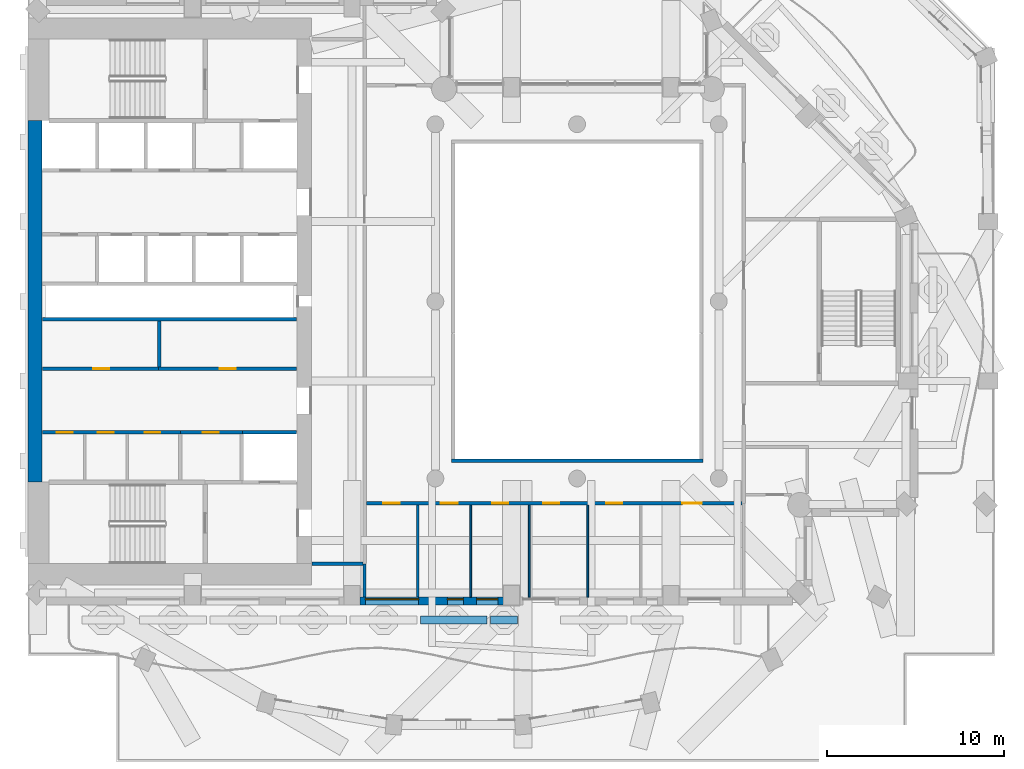
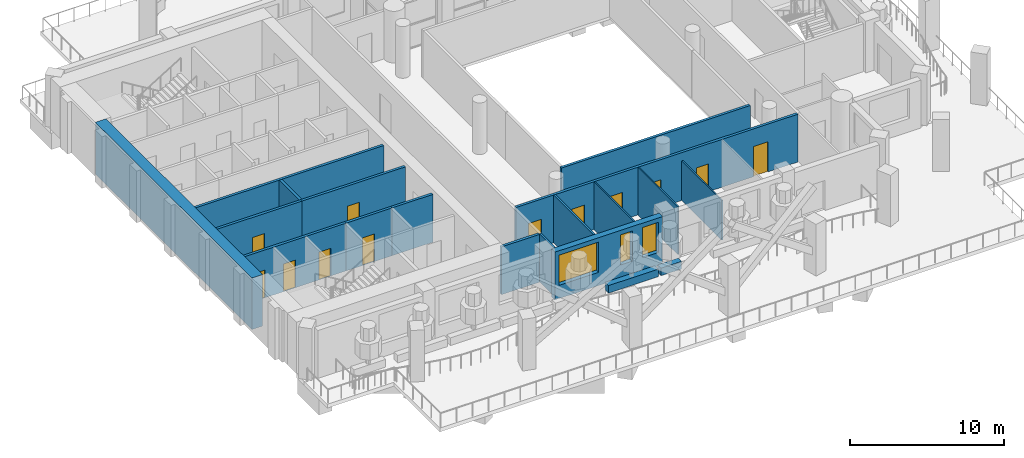
# One storey, part 5 of 18: 19 walls, 12 doors, 3 windows, 15 openings.
"""IFC4 building model written with IfcOpenShell, lengths in metres."""

from ifc_helpers import new_model, si_unit, direction, frame, frame_2d, origin, place, context, subcontext, project, spatial, rectangle, extrude, material, layer, layer_set, type_object, element, fill, save


model = new_model("IFC4")

# Units and contexts
model_context = context("Model", 3, precision=1e-05, world=origin(), true_north=direction((0.0, 1.0)))
body_context = subcontext(model_context, "Body", "Model", "MODEL_VIEW")
ifc_project = project(units=[si_unit("LENGTHUNIT", "METRE"), si_unit("AREAUNIT", "SQUARE_METRE"), si_unit("VOLUMEUNIT", "CUBIC_METRE"), si_unit("PLANEANGLEUNIT", "RADIAN"), si_unit("MASSUNIT", "GRAM", prefix="KILO")], contexts=[model_context])

# Site, building, storey
site_placement = place(None, origin())
site = spatial("IfcSite", under=ifc_project, at=site_placement, CompositionType="ELEMENT")
building_placement = place(site_placement, origin())
building = spatial("IfcBuilding", under=site, at=building_placement, Name="Cypress Arch Tower", CompositionType="ELEMENT")
storey_placement = place(building_placement, frame((0.0, 0.0, 160.5)))
storey = spatial("IfcBuildingStorey", under=building, at=storey_placement, Name="L34", CompositionType="ELEMENT", Elevation=160.5)

# Walls
ifc_material_1 = material(Name="Concrete C40/50, waterproofed", Category="concrete")
ifc_layer_1 = layer(ifc_material_1, 0.449951171875)
ifc_layer_set_1 = layer_set([ifc_layer_1], Name="Balcony planter wall PW450")
wall_type_1 = type_object("IfcWallType", Name="Balcony planter wall PW450", PredefinedType="SOLIDWALL", material=ifc_layer_set_1)
wall_1_placement = place(storey_placement, frame((-7.85009765625, -18.0, 0.0), z_axis=(0.0, 0.0, 1.0), x_axis=(1.0, 0.0, 0.0)))
element("IfcWall", 1, at=wall_1_placement, inside=storey, type_object=wall_type_1, Name="Balcony planter wall L34-B01.6", PredefinedType="SOLIDWALL", context=body_context, shape_type="SweptSolid", body=[
    extrude(rectangle(XDim=3.760009765625, YDim=0.449951171875, at=frame_2d((1.8798828125, 0.0))), origin(), (0.0, 0.0, 1.0), 0.60009765625),
])
wall_2_placement = place(storey_placement, frame((-3.889892578125, -18.0, 0.0), z_axis=(0.0, 0.0, 1.0), x_axis=(1.0, 0.0, 0.0)))
element("IfcWall", 2, at=wall_2_placement, inside=storey, type_object=wall_type_1, Name="Balcony planter wall L34-B01.7", PredefinedType="SOLIDWALL", context=body_context, shape_type="SweptSolid", body=[
    extrude(rectangle(XDim=1.539794921875, YDim=0.449951171875, at=frame_2d((0.77001953125, 0.0))), origin(), (0.0, 0.0, 1.0), 0.60009765625),
])

# Wall, openings, windows
ifc_material_2 = material(Name="Brick (red buff blend)", Category="masonry")
ifc_layer_2 = layer(ifc_material_2, 0.449951171875)
ifc_layer_set_2 = layer_set([ifc_layer_2], Name="Brick pier and spandrel wall BW450")
wall_type_2 = type_object("IfcWallType", Name="Brick pier and spandrel wall BW450", PredefinedType="SOLIDWALL", material=ifc_layer_set_2)
wall_3_placement = place(storey_placement, frame((-11.25, -16.925048828125, 0.0), z_axis=(0.0, 0.0, 1.0), x_axis=(1.0, 0.0, 0.0)))
wall_3 = element("IfcWall", 3, at=wall_3_placement, inside=storey, type_object=wall_type_2, Name="Brick wall L34 B01.2", PredefinedType="SOLIDWALL", context=body_context, shape_type="SweptSolid", body=[
    extrude(rectangle(XDim=8.10009765625, YDim=0.449951171875, at=frame_2d((4.050048828125, 0.0))), origin(), (0.0, 0.0, 1.0), 3.800048828125),
])
opening_1_placement = place(wall_3_placement, frame((0.300048828125, 0.0, 1.050048828125)))
opening_1 = element("IfcOpeningElement", 4, at=opening_1_placement, cuts=wall_3, Name="Opening W300OD", PredefinedType="OPENING", context=body_context, shape_type="SweptSolid", body=[
    extrude(rectangle(XDim=3.0, YDim=2.39990234375, at=frame_2d((1.5, 1.199951171875))), frame((0.0, 0.23486328125, 0.0), z_axis=(0.0, -1.0, 0.0), x_axis=(1.0, 0.0, 0.0)), (0.0, 0.0, 1.0), 0.469970703125),
])
opening_2_placement = place(wall_3_placement, frame((4.925048828125, 0.0, 1.050048828125)))
opening_2 = element("IfcOpeningElement", 5, at=opening_2_placement, cuts=wall_3, Name="Opening W090OD", PredefinedType="OPENING", context=body_context, shape_type="SweptSolid", body=[
    extrude(rectangle(XDim=0.89990234375, YDim=2.39990234375, at=frame_2d((0.449951171875, 1.199951171875))), frame((0.0, 0.23486328125, 0.0), z_axis=(0.0, -1.0, 0.0), x_axis=(1.0, 0.0, 0.0)), (0.0, 0.0, 1.0), 0.469970703125),
])
opening_3_placement = place(wall_3_placement, frame((6.574951171875, 0.0, 1.050048828125)))
opening_3 = element("IfcOpeningElement", 6, at=opening_3_placement, cuts=wall_3, Name="Opening W120OD", PredefinedType="OPENING", context=body_context, shape_type="SweptSolid", body=[
    extrude(rectangle(XDim=1.199951171875, YDim=2.39990234375, at=frame_2d((0.60009765625, 1.199951171875))), frame((0.0, 0.23486328125, 0.0), z_axis=(0.0, -1.0, 0.0), x_axis=(1.0, 0.0, 0.0)), (0.0, 0.0, 1.0), 0.469970703125),
])
ifc_material_3 = material(Name="Anodised aluminium, bronze finish, laminated low-emissivity double glazing, large-missile impact rated", Category="aluminium")
window_type_1 = type_object("IfcWindowType", Name="Window Office 1200x2400 debris-rated", PartitioningType="SINGLE_PANEL", PredefinedType="WINDOW", material=ifc_material_3)
window_1_placement = place(opening_3_placement, origin())
window_1 = element("IfcWindow", 7, at=window_1_placement, inside=storey, type_object=window_type_1, Name="Window L34 B01.2.2b", OverallHeight=2.39990234375, OverallWidth=1.199951171875, PartitioningType="SINGLE_PANEL", PredefinedType="WINDOW", context=body_context, shape_type="SweptSolid", body=[
    extrude(rectangle(XDim=1.199951171875, YDim=2.39990234375, at=frame_2d((0.60009765625, 1.199951171875))), frame((0.0, 0.135009765625, 0.0), z_axis=(0.0, -1.0, 0.0), x_axis=(1.0, 0.0, 0.0)), (0.0, 0.0, 1.0), 0.06005859375),
])
fill(opening_3, window_1)
ifc_material_4 = material(Name="Anodised aluminium, bronze finish, laminated low-emissivity double glazing, large-missile impact rated", Category="aluminium")
window_type_2 = type_object("IfcWindowType", Name="Window Office 3000x2400 debris-rated", PartitioningType="SINGLE_PANEL", PredefinedType="WINDOW", material=ifc_material_4)
window_2_placement = place(opening_1_placement, origin())
window_2 = element("IfcWindow", 8, at=window_2_placement, inside=storey, type_object=window_type_2, Name="Window L34 B01.2.1", OverallHeight=2.39990234375, OverallWidth=3.0, PartitioningType="SINGLE_PANEL", PredefinedType="WINDOW", context=body_context, shape_type="SweptSolid", body=[
    extrude(rectangle(XDim=3.0, YDim=2.39990234375, at=frame_2d((1.5, 1.199951171875))), frame((0.0, 0.135009765625, 0.0), z_axis=(0.0, -1.0, 0.0), x_axis=(1.0, 0.0, 0.0)), (0.0, 0.0, 1.0), 0.06005859375),
])
fill(opening_1, window_2)
ifc_material_5 = material(Name="Anodised aluminium, bronze finish, laminated low-emissivity double glazing, large-missile impact rated", Category="aluminium")
window_type_3 = type_object("IfcWindowType", Name="Window Office 900x2400 debris-rated", PartitioningType="SINGLE_PANEL", PredefinedType="WINDOW", material=ifc_material_5)
window_3_placement = place(opening_2_placement, origin())
window_3 = element("IfcWindow", 9, at=window_3_placement, inside=storey, type_object=window_type_3, Name="Window L34 B01.2.2", OverallHeight=2.39990234375, OverallWidth=0.89990234375, PartitioningType="SINGLE_PANEL", PredefinedType="WINDOW", context=body_context, shape_type="SweptSolid", body=[
    extrude(rectangle(XDim=0.89990234375, YDim=2.39990234375, at=frame_2d((0.449951171875, 1.199951171875))), frame((0.0, 0.135009765625, 0.0), z_axis=(0.0, -1.0, 0.0), x_axis=(1.0, 0.0, 0.0)), (0.0, 0.0, 1.0), 0.06005859375),
])
fill(opening_2, window_3)

# Wall
ifc_material_6 = material(Name="Concrete C70/85", Category="concrete")
ifc_layer_3 = layer(ifc_material_6, 0.800048828125)
ifc_layer_set_3 = layer_set([ifc_layer_3], Name="Core wall CW800 C70/85")
wall_type_3 = type_object("IfcWallType", Name="Core wall CW800 C70/85", PredefinedType="SHEAR", material=ifc_layer_set_3)
wall_4_placement = place(storey_placement, frame((-29.60009765625, -10.199951171875, 0.0), z_axis=(0.0, 0.0, 1.0), x_axis=(0.0, 1.0, 0.0)))
element("IfcWall", 10, at=wall_4_placement, inside=storey, type_object=wall_type_3, Name="Core wall", PredefinedType="SHEAR", context=body_context, shape_type="SweptSolid", body=[
    extrude(rectangle(XDim=20.39990234375, YDim=0.800048828125, at=frame_2d((10.199951171875, 0.0))), origin(), (0.0, 0.0, 1.0), 4.10009765625),
])

# Wall, openings, doors
ifc_material_7 = material(Name="Concrete blockwork, plastered, rated", Category="masonry")
ifc_layer_4 = layer(ifc_material_7, 0.199951171875)
ifc_layer_set_4 = layer_set([ifc_layer_4], Name="Corridor wall FW200")
wall_type_4 = type_object("IfcWallType", Name="Corridor wall FW200", PredefinedType="PARTITIONING", material=ifc_layer_set_4)
wall_5_placement = place(storey_placement, frame((-29.169921875, -7.39990234375, 0.0), z_axis=(0.0, 0.0, 1.0), x_axis=(1.0, 0.0, 0.0)))
wall_5 = element("IfcWall", 11, at=wall_5_placement, inside=storey, type_object=wall_type_4, Name="Corridor wall", PredefinedType="PARTITIONING", context=body_context, shape_type="SweptSolid", body=[
    extrude(rectangle(XDim=7.7900390625, YDim=0.199951171875, at=frame_2d((3.89501953125, 0.0))), origin(), (0.0, 0.0, 1.0), 3.800048828125),
])
opening_4_placement = place(wall_5_placement, frame((0.800048828125, 0.0, 0.0)))
opening_4 = element("IfcOpeningElement", 12, at=opening_4_placement, cuts=wall_5, Name="Opening D05", PredefinedType="OPENING", context=body_context, shape_type="SweptSolid", body=[
    extrude(rectangle(XDim=0.89990234375, YDim=2.199951171875, at=frame_2d((0.449951171875, 1.10009765625))), frame((0.0, 0.10986328125, 0.0), z_axis=(0.0, -1.0, 0.0), x_axis=(1.0, 0.0, 0.0)), (0.0, 0.0, 1.0), 0.219970703125),
])
opening_5_placement = place(wall_5_placement, frame((3.10009765625, 0.0, 0.0)))
opening_5 = element("IfcOpeningElement", 13, at=opening_5_placement, cuts=wall_5, Name="Opening D05", PredefinedType="OPENING", context=body_context, shape_type="SweptSolid", body=[
    extrude(rectangle(XDim=0.89990234375, YDim=2.199951171875, at=frame_2d((0.449951171875, 1.10009765625))), frame((0.0, 0.10986328125, 0.0), z_axis=(0.0, -1.0, 0.0), x_axis=(1.0, 0.0, 0.0)), (0.0, 0.0, 1.0), 0.219970703125),
])
opening_6_placement = place(wall_5_placement, frame((5.75, 0.0, 0.0)))
opening_6 = element("IfcOpeningElement", 14, at=opening_6_placement, cuts=wall_5, Name="Opening D05", PredefinedType="OPENING", context=body_context, shape_type="SweptSolid", body=[
    extrude(rectangle(XDim=0.89990234375, YDim=2.199951171875, at=frame_2d((0.449951171875, 1.10009765625))), frame((0.0, 0.10986328125, 0.0), z_axis=(0.0, -1.0, 0.0), x_axis=(1.0, 0.0, 0.0)), (0.0, 0.0, 1.0), 0.219970703125),
])
ifc_material_8 = material(Name="Timber flush door", Category="wood")
door_type_1 = type_object("IfcDoorType", Name="Service door D05 900x2200", OperationType="SINGLE_SWING_LEFT", PredefinedType="DOOR", material=ifc_material_8)
door_1_placement = place(opening_4_placement, origin())
door_1 = element("IfcDoor", 15, at=door_1_placement, inside=storey, type_object=door_type_1, Name="Service door", OperationType="SINGLE_SWING_LEFT", OverallHeight=2.199951171875, OverallWidth=0.89990234375, PredefinedType="DOOR", context=body_context, shape_type="SweptSolid", body=[
    extrude(rectangle(XDim=0.89990234375, YDim=2.199951171875, at=frame_2d((0.449951171875, 1.10009765625))), frame((0.0, 0.02490234375, 0.0), z_axis=(0.0, -1.0, 0.0), x_axis=(1.0, 0.0, 0.0)), (0.0, 0.0, 1.0), 0.050048828125),
])
fill(opening_4, door_1)
door_2_placement = place(opening_5_placement, origin())
door_2 = element("IfcDoor", 16, at=door_2_placement, inside=storey, type_object=door_type_1, Name="Service door", OperationType="SINGLE_SWING_RIGHT", OverallHeight=2.199951171875, OverallWidth=0.89990234375, PredefinedType="DOOR", context=body_context, shape_type="SweptSolid", body=[
    extrude(rectangle(XDim=0.89990234375, YDim=2.199951171875, at=frame_2d((0.449951171875, 1.10009765625))), frame((0.0, 0.02490234375, 0.0), z_axis=(0.0, -1.0, 0.0), x_axis=(1.0, 0.0, 0.0)), (0.0, 0.0, 1.0), 0.050048828125),
])
fill(opening_5, door_2)
door_3_placement = place(opening_6_placement, origin())
door_3 = element("IfcDoor", 17, at=door_3_placement, inside=storey, type_object=door_type_1, Name="Service door", OperationType="SINGLE_SWING_RIGHT", OverallHeight=2.199951171875, OverallWidth=0.89990234375, PredefinedType="DOOR", context=body_context, shape_type="SweptSolid", body=[
    extrude(rectangle(XDim=0.89990234375, YDim=2.199951171875, at=frame_2d((0.449951171875, 1.10009765625))), frame((0.0, 0.02490234375, 0.0), z_axis=(0.0, -1.0, 0.0), x_axis=(1.0, 0.0, 0.0)), (0.0, 0.0, 1.0), 0.050048828125),
])
fill(opening_6, door_3)

# Wall, opening, door
wall_6_placement = place(storey_placement, frame((-22.6201171875, -3.800048828125, 0.0), z_axis=(0.0, 0.0, 1.0), x_axis=(1.0, 0.0, 0.0)))
wall_6 = element("IfcWall", 18, at=wall_6_placement, inside=storey, type_object=wall_type_4, Name="Corridor wall", PredefinedType="PARTITIONING", context=body_context, shape_type="SweptSolid", body=[
    extrude(rectangle(XDim=7.7900390625, YDim=0.199951171875, at=frame_2d((3.89501953125, 0.0))), origin(), (0.0, 0.0, 1.0), 3.800048828125),
])
opening_7_placement = place(wall_6_placement, frame((3.449951171875, 0.0, 0.0)))
opening_7 = element("IfcOpeningElement", 19, at=opening_7_placement, cuts=wall_6, Name="Opening D05", PredefinedType="OPENING", context=body_context, shape_type="SweptSolid", body=[
    extrude(rectangle(XDim=0.89990234375, YDim=2.199951171875, at=frame_2d((0.449951171875, 1.10009765625))), frame((0.0, 0.10986328125, 0.0), z_axis=(0.0, -1.0, 0.0), x_axis=(1.0, 0.0, 0.0)), (0.0, 0.0, 1.0), 0.219970703125),
])
door_4_placement = place(opening_7_placement, origin())
door_4 = element("IfcDoor", 20, at=door_4_placement, inside=storey, type_object=door_type_1, Name="Service door", OperationType="SINGLE_SWING_RIGHT", OverallHeight=2.199951171875, OverallWidth=0.89990234375, PredefinedType="DOOR", context=body_context, shape_type="SweptSolid", body=[
    extrude(rectangle(XDim=0.89990234375, YDim=2.199951171875, at=frame_2d((0.449951171875, 1.10009765625))), frame((0.0, 0.02490234375, 0.0), z_axis=(0.0, -1.0, 0.0), x_axis=(1.0, 0.0, 0.0)), (0.0, 0.0, 1.0), 0.050048828125),
])
fill(opening_7, door_4)

# Wall
wall_7_placement = place(storey_placement, frame((-13.969970703125, -14.800048828125, 0.0), z_axis=(0.0, 0.0, 1.0), x_axis=(1.0, 0.0, 0.0)))
element("IfcWall", 21, at=wall_7_placement, inside=storey, type_object=wall_type_4, Name="Corridor wall", PredefinedType="PARTITIONING", context=body_context, shape_type="SweptSolid", body=[
    extrude(rectangle(XDim=2.869873046875, YDim=0.199951171875, at=frame_2d((1.43505859375, 0.0))), origin(), (0.0, 0.0, 1.0), 3.800048828125),
])

# Wall, openings, doors
wall_8_placement = place(storey_placement, frame((-10.89990234375, -11.39990234375, 0.0), z_axis=(0.0, 0.0, 1.0), x_axis=(1.0, 0.0, 0.0)))
wall_8 = element("IfcWall", 22, at=wall_8_placement, inside=storey, type_object=wall_type_4, Name="Corridor wall", PredefinedType="PARTITIONING", context=body_context, shape_type="SweptSolid", body=[
    extrude(rectangle(XDim=21.199951171875, YDim=0.199951171875, at=frame_2d((10.60009765625, 0.0))), origin(), (0.0, 0.0, 1.0), 3.800048828125),
])
opening_8_placement = place(wall_8_placement, frame((0.949951171875, 0.0, 0.0)))
opening_8 = element("IfcOpeningElement", 23, at=opening_8_placement, cuts=wall_8, Name="Opening D02", PredefinedType="OPENING", context=body_context, shape_type="SweptSolid", body=[
    extrude(rectangle(XDim=0.949951171875, YDim=2.199951171875, at=frame_2d((0.47509765625, 1.10009765625))), frame((0.0, 0.10986328125, 0.0), z_axis=(0.0, -1.0, 0.0), x_axis=(1.0, 0.0, 0.0)), (0.0, 0.0, 1.0), 0.219970703125),
])
opening_9_placement = place(wall_8_placement, frame((4.199951171875, 0.0, 0.0)))
opening_9 = element("IfcOpeningElement", 24, at=opening_9_placement, cuts=wall_8, Name="Opening D02", PredefinedType="OPENING", context=body_context, shape_type="SweptSolid", body=[
    extrude(rectangle(XDim=0.949951171875, YDim=2.199951171875, at=frame_2d((0.47509765625, 1.10009765625))), frame((0.0, 0.10986328125, 0.0), z_axis=(0.0, -1.0, 0.0), x_axis=(1.0, 0.0, 0.0)), (0.0, 0.0, 1.0), 0.219970703125),
])
opening_10_placement = place(wall_8_placement, frame((7.10009765625, 0.0, 0.0)))
opening_10 = element("IfcOpeningElement", 25, at=opening_10_placement, cuts=wall_8, Name="Opening D03", PredefinedType="OPENING", context=body_context, shape_type="SweptSolid", body=[
    extrude(rectangle(XDim=0.89990234375, YDim=2.199951171875, at=frame_2d((0.449951171875, 1.10009765625))), frame((0.0, 0.10986328125, 0.0), z_axis=(0.0, -1.0, 0.0), x_axis=(1.0, 0.0, 0.0)), (0.0, 0.0, 1.0), 0.219970703125),
])
opening_11_placement = place(wall_8_placement, frame((10.0, 0.0, 0.0)))
opening_11 = element("IfcOpeningElement", 26, at=opening_11_placement, cuts=wall_8, Name="Opening D03", PredefinedType="OPENING", context=body_context, shape_type="SweptSolid", body=[
    extrude(rectangle(XDim=0.89990234375, YDim=2.199951171875, at=frame_2d((0.449951171875, 1.10009765625))), frame((0.0, 0.10986328125, 0.0), z_axis=(0.0, -1.0, 0.0), x_axis=(1.0, 0.0, 0.0)), (0.0, 0.0, 1.0), 0.219970703125),
])
opening_12_placement = place(wall_8_placement, frame((13.550048828125, 0.0, 0.0)))
opening_12 = element("IfcOpeningElement", 27, at=opening_12_placement, cuts=wall_8, Name="Opening D03", PredefinedType="OPENING", context=body_context, shape_type="SweptSolid", body=[
    extrude(rectangle(XDim=0.89990234375, YDim=2.199951171875, at=frame_2d((0.449951171875, 1.10009765625))), frame((0.0, 0.10986328125, 0.0), z_axis=(0.0, -1.0, 0.0), x_axis=(1.0, 0.0, 0.0)), (0.0, 0.0, 1.0), 0.219970703125),
])
opening_13_placement = place(wall_8_placement, frame((17.85009765625, 0.0, 0.0)))
opening_13 = element("IfcOpeningElement", 28, at=opening_13_placement, cuts=wall_8, Name="Opening D01", PredefinedType="OPENING", context=body_context, shape_type="SweptSolid", body=[
    extrude(rectangle(XDim=1.10009765625, YDim=2.39990234375, at=frame_2d((0.550048828125, 1.199951171875))), frame((0.0, 0.10986328125, 0.0), z_axis=(0.0, -1.0, 0.0), x_axis=(1.0, 0.0, 0.0)), (0.0, 0.0, 1.0), 0.219970703125),
])
ifc_material_9 = material(Name="Timber flush door, moisture resistant", Category="wood")
door_type_2 = type_object("IfcDoorType", Name="Bathroom door D03 900x2200", OperationType="SINGLE_SWING_LEFT", PredefinedType="DOOR", material=ifc_material_9)
door_5_placement = place(opening_10_placement, origin())
door_5 = element("IfcDoor", 29, at=door_5_placement, inside=storey, type_object=door_type_2, Name="Bathroom door", OperationType="SINGLE_SWING_RIGHT", OverallHeight=2.199951171875, OverallWidth=0.89990234375, PredefinedType="DOOR", context=body_context, shape_type="SweptSolid", body=[
    extrude(rectangle(XDim=0.89990234375, YDim=2.199951171875, at=frame_2d((0.449951171875, 1.10009765625))), frame((0.0, 0.02490234375, 0.0), z_axis=(0.0, -1.0, 0.0), x_axis=(1.0, 0.0, 0.0)), (0.0, 0.0, 1.0), 0.050048828125),
])
fill(opening_10, door_5)
door_6_placement = place(opening_11_placement, origin())
door_6 = element("IfcDoor", 30, at=door_6_placement, inside=storey, type_object=door_type_2, Name="Bathroom door", OperationType="SINGLE_SWING_RIGHT", OverallHeight=2.199951171875, OverallWidth=0.89990234375, PredefinedType="DOOR", context=body_context, shape_type="SweptSolid", body=[
    extrude(rectangle(XDim=0.89990234375, YDim=2.199951171875, at=frame_2d((0.449951171875, 1.10009765625))), frame((0.0, 0.02490234375, 0.0), z_axis=(0.0, -1.0, 0.0), x_axis=(1.0, 0.0, 0.0)), (0.0, 0.0, 1.0), 0.050048828125),
])
fill(opening_11, door_6)
door_7_placement = place(opening_12_placement, origin())
door_7 = element("IfcDoor", 31, at=door_7_placement, inside=storey, type_object=door_type_2, Name="Bathroom door", OperationType="SINGLE_SWING_RIGHT", OverallHeight=2.199951171875, OverallWidth=0.89990234375, PredefinedType="DOOR", context=body_context, shape_type="SweptSolid", body=[
    extrude(rectangle(XDim=0.89990234375, YDim=2.199951171875, at=frame_2d((0.449951171875, 1.10009765625))), frame((0.0, 0.02490234375, 0.0), z_axis=(0.0, -1.0, 0.0), x_axis=(1.0, 0.0, 0.0)), (0.0, 0.0, 1.0), 0.050048828125),
])
fill(opening_12, door_7)
ifc_material_10 = material(Name="Timber flush door, fire resisting", Category="wood")
door_type_3 = type_object("IfcDoorType", Name="Room door D02 950x2200", OperationType="SINGLE_SWING_LEFT", PredefinedType="DOOR", material=ifc_material_10)
door_8_placement = place(opening_8_placement, origin())
door_8 = element("IfcDoor", 32, at=door_8_placement, inside=storey, type_object=door_type_3, Name="Room door", OperationType="SINGLE_SWING_LEFT", OverallHeight=2.199951171875, OverallWidth=0.949951171875, PredefinedType="DOOR", context=body_context, shape_type="SweptSolid", body=[
    extrude(rectangle(XDim=0.949951171875, YDim=2.199951171875, at=frame_2d((0.47509765625, 1.10009765625))), frame((0.0, 0.02490234375, 0.0), z_axis=(0.0, -1.0, 0.0), x_axis=(1.0, 0.0, 0.0)), (0.0, 0.0, 1.0), 0.050048828125),
])
fill(opening_8, door_8)
door_9_placement = place(opening_9_placement, origin())
door_9 = element("IfcDoor", 33, at=door_9_placement, inside=storey, type_object=door_type_3, Name="Room door", OperationType="SINGLE_SWING_LEFT", OverallHeight=2.199951171875, OverallWidth=0.949951171875, PredefinedType="DOOR", context=body_context, shape_type="SweptSolid", body=[
    extrude(rectangle(XDim=0.949951171875, YDim=2.199951171875, at=frame_2d((0.47509765625, 1.10009765625))), frame((0.0, 0.02490234375, 0.0), z_axis=(0.0, -1.0, 0.0), x_axis=(1.0, 0.0, 0.0)), (0.0, 0.0, 1.0), 0.050048828125),
])
fill(opening_9, door_9)
ifc_material_11 = material(Name="Timber flush door, fire resisting, self-closing", Category="wood")
door_type_4 = type_object("IfcDoorType", Name="Unit entrance door D01 1100x2400", OperationType="SINGLE_SWING_LEFT", PredefinedType="DOOR", material=ifc_material_11)
door_10_placement = place(opening_13_placement, origin())
door_10 = element("IfcDoor", 34, at=door_10_placement, inside=storey, type_object=door_type_4, Name="Unit entrance door", OperationType="SINGLE_SWING_LEFT", OverallHeight=2.39990234375, OverallWidth=1.10009765625, PredefinedType="DOOR", context=body_context, shape_type="SweptSolid", body=[
    extrude(rectangle(XDim=1.10009765625, YDim=2.39990234375, at=frame_2d((0.550048828125, 1.199951171875))), frame((0.0, 0.02490234375, 0.0), z_axis=(0.0, -1.0, 0.0), x_axis=(1.0, 0.0, 0.0)), (0.0, 0.0, 1.0), 0.050048828125),
])
fill(opening_13, door_10)

# Walls
wall_9_placement = place(storey_placement, frame((-6.10009765625, -9.0, 0.0), z_axis=(0.0, 0.0, 1.0), x_axis=(1.0, 0.0, 0.0)))
element("IfcWall", 35, at=wall_9_placement, inside=storey, type_object=wall_type_4, Name="Corridor wall", PredefinedType="PARTITIONING", context=body_context, shape_type="SweptSolid", body=[
    extrude(rectangle(XDim=14.2001953125, YDim=0.199951171875, at=frame_2d((7.10009765625, 0.0))), origin(), (0.0, 0.0, 1.0), 3.800048828125),
])
ifc_material_12 = material(Name="Blockwork, plastered both sides", Category="masonry")
ifc_layer_5 = layer(ifc_material_12, 0.14990234375)
ifc_layer_set_5 = layer_set([ifc_layer_5], Name="Partition PW150")
wall_type_5 = type_object("IfcWallType", Name="Partition PW150", PredefinedType="PARTITIONING", material=ifc_layer_set_5)
wall_10_placement = place(storey_placement, frame((-11.0, -16.699951171875, 0.0), z_axis=(0.0, 0.0, 1.0), x_axis=(0.0, 1.0, 0.0)))
element("IfcWall", 36, at=wall_10_placement, inside=storey, type_object=wall_type_5, Name="Partition", PredefinedType="PARTITIONING", context=body_context, shape_type="SweptSolid", body=[
    extrude(rectangle(XDim=1.8798828125, YDim=0.14990234375, at=frame_2d((0.93994140625, 0.0))), origin(), (0.0, 0.0, 1.0), 3.800048828125),
])
wall_11_placement = place(storey_placement, frame((-8.0, -16.699951171875, 0.0), z_axis=(0.0, 0.0, 1.0), x_axis=(0.0, 1.0, 0.0)))
element("IfcWall", 37, at=wall_11_placement, inside=storey, type_object=wall_type_5, Name="Partition", PredefinedType="PARTITIONING", context=body_context, shape_type="SweptSolid", body=[
    extrude(rectangle(XDim=5.199951171875, YDim=0.14990234375, at=frame_2d((2.60009765625, 0.0))), origin(), (0.0, 0.0, 1.0), 3.800048828125),
])

# Wall, opening, door
ifc_material_13 = material(Name="Reinforced blockwork, plastered, rated", Category="masonry")
ifc_layer_6 = layer(ifc_material_13, 0.199951171875)
ifc_layer_set_6 = layer_set([ifc_layer_6], Name="Plant and riser wall PL200")
wall_type_6 = type_object("IfcWallType", Name="Plant and riser wall PL200", PredefinedType="PARTITIONING", material=ifc_layer_set_6)
wall_12_placement = place(storey_placement, frame((-29.169921875, -3.800048828125, 0.0), z_axis=(0.0, 0.0, 1.0), x_axis=(1.0, 0.0, 0.0)))
wall_12 = element("IfcWall", 38, at=wall_12_placement, inside=storey, type_object=wall_type_6, Name="Plant and riser wall", PredefinedType="PARTITIONING", context=body_context, shape_type="SweptSolid", body=[
    extrude(rectangle(XDim=6.5498046875, YDim=0.199951171875, at=frame_2d((3.27490234375, 0.0))), origin(), (0.0, 0.0, 1.0), 3.800048828125),
])
opening_14_placement = place(wall_12_placement, frame((2.85009765625, 0.0, 0.0)))
opening_14 = element("IfcOpeningElement", 39, at=opening_14_placement, cuts=wall_12, Name="Opening D05", PredefinedType="OPENING", context=body_context, shape_type="SweptSolid", body=[
    extrude(rectangle(XDim=0.89990234375, YDim=2.199951171875, at=frame_2d((0.449951171875, 1.10009765625))), frame((0.0, 0.10986328125, 0.0), z_axis=(0.0, -1.0, 0.0), x_axis=(1.0, 0.0, 0.0)), (0.0, 0.0, 1.0), 0.219970703125),
])
door_11_placement = place(opening_14_placement, origin())
door_11 = element("IfcDoor", 40, at=door_11_placement, inside=storey, type_object=door_type_1, Name="Service door", OperationType="SINGLE_SWING_RIGHT", OverallHeight=2.199951171875, OverallWidth=0.89990234375, PredefinedType="DOOR", context=body_context, shape_type="SweptSolid", body=[
    extrude(rectangle(XDim=0.89990234375, YDim=2.199951171875, at=frame_2d((0.449951171875, 1.10009765625))), frame((0.0, 0.02490234375, 0.0), z_axis=(0.0, -1.0, 0.0), x_axis=(1.0, 0.0, 0.0)), (0.0, 0.0, 1.0), 0.050048828125),
])
fill(opening_14, door_11)

# Walls
wall_13_placement = place(storey_placement, frame((-29.169921875, -1.0, 0.0), z_axis=(0.0, 0.0, 1.0), x_axis=(1.0, 0.0, 0.0)))
element("IfcWall", 41, at=wall_13_placement, inside=storey, type_object=wall_type_6, Name="Plant and riser wall", PredefinedType="PARTITIONING", context=body_context, shape_type="SweptSolid", body=[
    extrude(rectangle(XDim=14.33984375, YDim=0.199951171875, at=frame_2d((7.169921875, 0.0))), origin(), (0.0, 0.0, 1.0), 3.800048828125),
])
wall_14_placement = place(storey_placement, frame((-22.60009765625, -3.699951171875, 0.0), z_axis=(0.0, 0.0, 1.0), x_axis=(0.0, 1.0, 0.0)))
element("IfcWall", 42, at=wall_14_placement, inside=storey, type_object=wall_type_6, Name="Plant and riser wall", PredefinedType="PARTITIONING", context=body_context, shape_type="SweptSolid", body=[
    extrude(rectangle(XDim=2.599853515625, YDim=0.199951171875, at=frame_2d((1.2998046875, 0.0))), origin(), (0.0, 0.0, 1.0), 3.800048828125),
])

# Wall, opening, door
wall_15_placement = place(storey_placement, frame((-21.3798828125, -7.39990234375, 0.0), z_axis=(0.0, 0.0, 1.0), x_axis=(1.0, 0.0, 0.0)))
wall_15 = element("IfcWall", 43, at=wall_15_placement, inside=storey, type_object=wall_type_6, Name="Plant and riser wall", PredefinedType="PARTITIONING", context=body_context, shape_type="SweptSolid", body=[
    extrude(rectangle(XDim=3.47998046875, YDim=0.199951171875, at=frame_2d((1.739990234375, 0.0))), origin(), (0.0, 0.0, 1.0), 3.800048828125),
])
opening_15_placement = place(wall_15_placement, frame((1.25, 0.0, 0.0)))
opening_15 = element("IfcOpeningElement", 44, at=opening_15_placement, cuts=wall_15, Name="Opening D05", PredefinedType="OPENING", context=body_context, shape_type="SweptSolid", body=[
    extrude(rectangle(XDim=0.89990234375, YDim=2.199951171875, at=frame_2d((0.449951171875, 1.10009765625))), frame((0.0, 0.10986328125, 0.0), z_axis=(0.0, -1.0, 0.0), x_axis=(1.0, 0.0, 0.0)), (0.0, 0.0, 1.0), 0.219970703125),
])
door_12_placement = place(opening_15_placement, origin())
door_12 = element("IfcDoor", 45, at=door_12_placement, inside=storey, type_object=door_type_1, Name="Service door", OperationType="SINGLE_SWING_RIGHT", OverallHeight=2.199951171875, OverallWidth=0.89990234375, PredefinedType="DOOR", context=body_context, shape_type="SweptSolid", body=[
    extrude(rectangle(XDim=0.89990234375, YDim=2.199951171875, at=frame_2d((0.449951171875, 1.10009765625))), frame((0.0, 0.02490234375, 0.0), z_axis=(0.0, -1.0, 0.0), x_axis=(1.0, 0.0, 0.0)), (0.0, 0.0, 1.0), 0.050048828125),
])
fill(opening_15, door_12)

# Walls
ifc_material_14 = material(Name="Concrete C50/60", Category="concrete")
ifc_layer_7 = layer(ifc_material_14, 0.199951171875)
ifc_layer_set_7 = layer_set([ifc_layer_7], Name="Shaft wall SH200")
wall_type_7 = type_object("IfcWallType", Name="Shaft wall SH200", PredefinedType="SHEAR", material=ifc_layer_set_7)
wall_16_placement = place(storey_placement, frame((-17.89990234375, -7.39990234375, 0.0), z_axis=(0.0, 0.0, 1.0), x_axis=(1.0, 0.0, 0.0)))
element("IfcWall", 46, at=wall_16_placement, inside=storey, type_object=wall_type_7, Name="Shaft wall", PredefinedType="SHEAR", context=body_context, shape_type="SweptSolid", body=[
    extrude(rectangle(XDim=3.06982421875, YDim=0.199951171875, at=frame_2d((1.534912109375, 0.0))), origin(), (0.0, 0.0, 1.0), 3.800048828125),
])
ifc_material_15 = material(Name="Moisture resistant board on steel studs, tiled", Category="steel")
ifc_layer_8 = layer(ifc_material_15, 0.10009765625)
ifc_layer_set_8 = layer_set([ifc_layer_8], Name="Wet wall PW100")
wall_type_8 = type_object("IfcWallType", Name="Wet wall PW100", PredefinedType="PARTITIONING", material=ifc_layer_set_8)
for number, where, z_axis, x_axis, name in (
    (47, (-5.0, -16.699951171875, 0.0), (0.0, 0.0, 1.0), (0.0, 1.0, 0.0), "Wet wall"),
    (48, (-1.698974609375, -16.699951171875, 0.0), (0.0, 0.0, 1.0), (0.0, 1.0, 0.0), "Wet wall"),
):
    element("IfcWall", number, at=place(storey_placement, frame(where, z_axis=z_axis, x_axis=x_axis)), inside=storey, type_object=wall_type_8, Name=name, PredefinedType="PARTITIONING", context=body_context, shape_type="SweptSolid", body=[
        extrude(rectangle(XDim=5.199951171875, YDim=0.10009765625, at=frame_2d((2.60009765625, 0.0))), origin(), (0.0, 0.0, 1.0), 3.800048828125),
    ])
wall_17_placement = place(storey_placement, frame((1.60107421875, -16.699951171875, 0.0), z_axis=(0.0, 0.0, 1.0), x_axis=(0.0, 1.0, 0.0)))
element("IfcWall", 49, at=wall_17_placement, inside=storey, type_object=wall_type_8, Name="Wet wall", PredefinedType="PARTITIONING", context=body_context, shape_type="SweptSolid", body=[
    extrude(rectangle(XDim=5.199951171875, YDim=0.10009765625, at=frame_2d((2.60009765625, 0.0))), origin(), (0.0, 0.0, 1.0), 3.14990234375),
])

save(model, "model.ifc")
